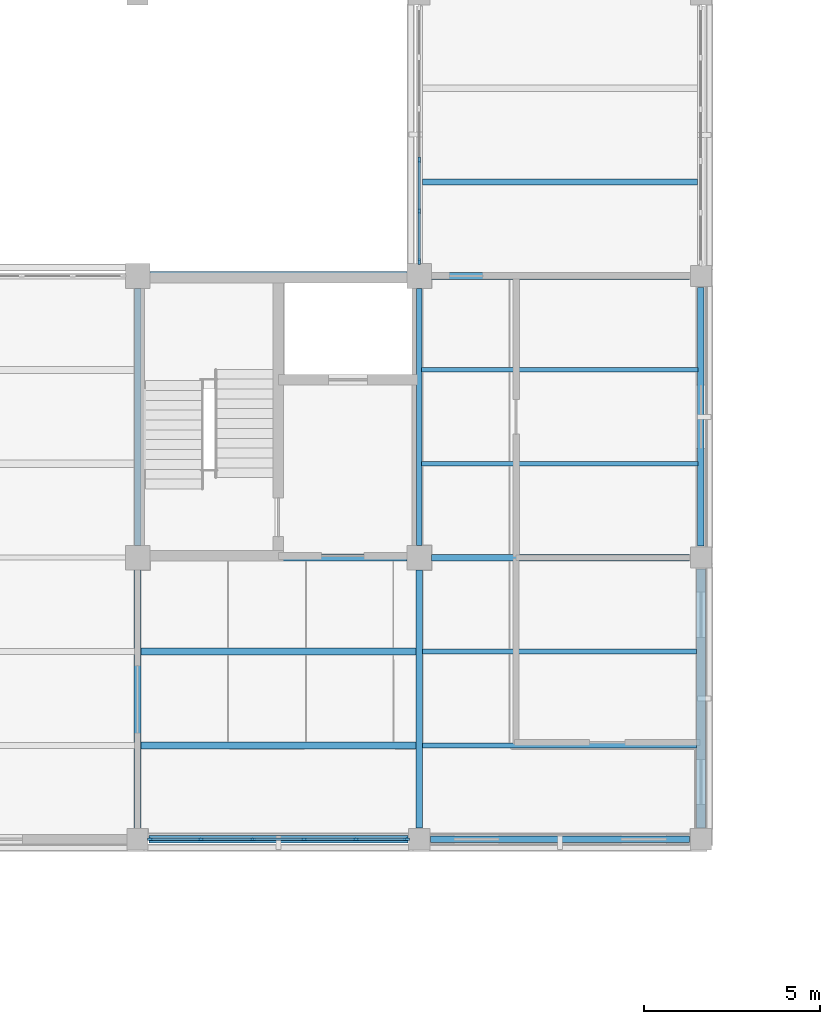
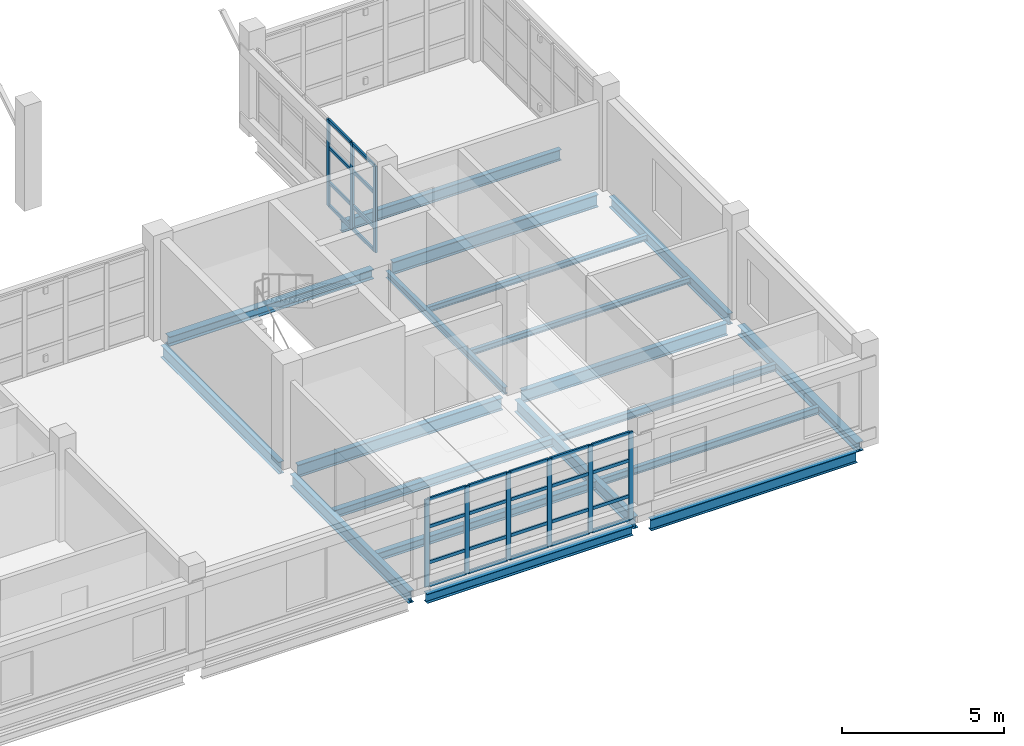
# One storey, part 6 of 35: 37 members, 19 beams, 2 elements without a shape of their own.
"""IFC4 building model written with IfcOpenShell, lengths in metres."""

from ifc_helpers import new_model, si_unit, derived_unit, direction, frame, origin, origin_2d, place, context, subcontext, project, spatial, rectangle, i_section, extrude, material, layer, layer_set, material_profile, profile_set, type_object, element, aggregate, save


model = new_model("IFC4")

# Units and contexts
model_context = context("Model", 3, precision=1e-05, world=origin(), true_north=direction((0.0, 1.0)))
body_context = subcontext(model_context, "Body", "Model", "MODEL_VIEW")
ifc_project = project(units=[si_unit("LENGTHUNIT", "METRE"), si_unit("AREAUNIT", "SQUARE_METRE"), si_unit("VOLUMEUNIT", "CUBIC_METRE"), si_unit("PLANEANGLEUNIT", "RADIAN"), si_unit("MASSUNIT", "GRAM", prefix="KILO"), derived_unit("THERMALTRANSMITTANCEUNIT", [(si_unit("MASSUNIT", "GRAM", prefix="KILO"), 1), (si_unit("TIMEUNIT", "SECOND"), -3), (si_unit("THERMODYNAMICTEMPERATUREUNIT", "KELVIN"), -1)])], contexts=[model_context])

# Site, building, storey
site_placement = place(None, origin())
site = spatial("IfcSite", under=ifc_project, at=site_placement, CompositionType="ELEMENT")
building_placement = place(site_placement, origin())
building = spatial("IfcBuilding", under=site, at=building_placement, Name="Veyamyaing Civic Hall", CompositionType="ELEMENT")
storey_placement = place(building_placement, frame((0.0, 0.0, 21.780029296875)))
storey = spatial("IfcBuildingStorey", under=building, at=storey_placement, Name="L05", CompositionType="ELEMENT", Elevation=21.780029296875)

# Beams
ifc_material_1 = material(Name="Steel ASTM A992", Category="steel")
ifc_material_profile_1 = material_profile(ifc_material_1, i_section(OverallWidth=0.19189453125, OverallDepth=0.462890625, WebThickness=0.010498046875, FlangeThickness=0.017578125, FilletRadius=0.010009765625, at=origin_2d()), Name="W460X89")
ifc_profile_set_1 = profile_set([ifc_material_profile_1], Name="Steel ASTM A992")
beam_type_1 = type_object("IfcBeamType", Name="B-08", PredefinedType="BEAM", material=ifc_profile_set_1)
beam_1_placement = place(storey_placement, frame((32.35009765625, 96.0, -0.45654296875), z_axis=(1.0, 0.0, 0.0), x_axis=(0.0, 1.0, 0.0)))
element("IfcBeam", 1, at=beam_1_placement, inside=storey, type_object=beam_type_1, Name="Girder B-08 L05 Grid N 5-6", PredefinedType="BEAM", context=body_context, shape_type="SweptSolid", body=[
    extrude(i_section(OverallWidth=0.19189453125, OverallDepth=0.462890625, WebThickness=0.010498046875, FlangeThickness=0.017578125, FilletRadius=0.010009765625, at=origin_2d()), origin(), (0.0, 0.0, 1.0), 7.2998046875),
])
beam_2_placement = place(storey_placement, frame((32.0, 88.324951171875, -0.45654296875), z_axis=(0.0, 1.0, 0.0), x_axis=(-1.0, 0.0, 0.0)))
element("IfcBeam", 2, at=beam_2_placement, inside=storey, type_object=beam_type_1, Name="Girder B-08 L05 Grid 5 M-N", PredefinedType="BEAM", context=body_context, shape_type="SweptSolid", body=[
    extrude(i_section(OverallWidth=0.19189453125, OverallDepth=0.462890625, WebThickness=0.010498046875, FlangeThickness=0.017578125, FilletRadius=0.010009765625, at=origin_2d()), origin(), (0.0, 0.0, 1.0), 7.324951171875),
])
ifc_material_profile_2 = material_profile(ifc_material_1, i_section(OverallWidth=0.18994140625, OverallDepth=0.45703125, WebThickness=0.009033203125, FlangeThickness=0.014404296875, FilletRadius=0.010009765625, at=origin_2d()), Name="W460X74")
ifc_profile_set_2 = profile_set([ifc_material_profile_2], Name="Steel ASTM A992")
beam_type_2 = type_object("IfcBeamType", Name="B-09", PredefinedType="BEAM", material=ifc_profile_set_2)
beam_3_placement = place(storey_placement, frame((40.35009765625, 96.0, -0.45361328125), z_axis=(1.0, 0.0, 0.0), x_axis=(0.0, 1.0, 0.0)))
element("IfcBeam", 3, at=beam_3_placement, inside=storey, type_object=beam_type_2, Name="Girder B-09 L05 Grid N 6-7", PredefinedType="BEAM", context=body_context, shape_type="SweptSolid", body=[
    extrude(i_section(OverallWidth=0.18994140625, OverallDepth=0.45703125, WebThickness=0.009033203125, FlangeThickness=0.014404296875, FilletRadius=0.010009765625, at=origin_2d()), origin(), (0.0, 0.0, 1.0), 7.324951171875),
])
beam_4_placement = place(storey_placement, frame((32.0, 96.35009765625, -0.45361328125), z_axis=(0.0, 1.0, 0.0), x_axis=(-1.0, 0.0, 0.0)))
element("IfcBeam", 4, at=beam_4_placement, inside=storey, type_object=beam_type_2, Name="Girder B-09 L05 Grid 5 N-P", PredefinedType="BEAM", context=body_context, shape_type="SweptSolid", body=[
    extrude(i_section(OverallWidth=0.18994140625, OverallDepth=0.45703125, WebThickness=0.009033203125, FlangeThickness=0.014404296875, FilletRadius=0.010009765625, at=origin_2d()), origin(), (0.0, 0.0, 1.0), 7.2998046875),
])
beam_5_placement = place(storey_placement, frame((40.0, 88.324951171875, -0.45361328125), z_axis=(0.0, 1.0, 0.0), x_axis=(-1.0, 0.0, 0.0)))
element("IfcBeam", 5, at=beam_5_placement, inside=storey, type_object=beam_type_2, Name="Girder B-09 L05 Grid 6 M-N", PredefinedType="BEAM", context=body_context, shape_type="SweptSolid", body=[
    extrude(i_section(OverallWidth=0.18994140625, OverallDepth=0.45703125, WebThickness=0.009033203125, FlangeThickness=0.014404296875, FilletRadius=0.010009765625, at=origin_2d()), origin(), (0.0, 0.0, 1.0), 7.324951171875),
])
ifc_material_profile_3 = material_profile(ifc_material_1, i_section(OverallWidth=0.179931640625, OverallDepth=0.4130859375, WebThickness=0.009765625, FlangeThickness=0.01611328125, FilletRadius=0.010009765625, at=origin_2d()), Name="W410X74")
ifc_profile_set_3 = profile_set([ifc_material_profile_3], Name="Steel ASTM A992")
beam_type_3 = type_object("IfcBeamType", Name="B-10", PredefinedType="SPANDREL", material=ifc_profile_set_3)
beam_6_placement = place(storey_placement, frame((48.0, 96.324951171875, -0.431640625), z_axis=(0.0, 1.0, 0.0), x_axis=(-1.0, 0.0, 0.0)))
element("IfcBeam", 6, at=beam_6_placement, inside=storey, type_object=beam_type_3, Name="Girder B-10 L05 Grid 7 N-P", PredefinedType="SPANDREL", context=body_context, shape_type="SweptSolid", body=[
    extrude(i_section(OverallWidth=0.179931640625, OverallDepth=0.4130859375, WebThickness=0.009765625, FlangeThickness=0.01611328125, FilletRadius=0.010009765625, at=origin_2d()), origin(), (0.0, 0.0, 1.0), 7.35009765625),
])
ifc_material_profile_4 = material_profile(ifc_material_1, i_section(OverallWidth=0.2041015625, OverallDepth=0.35009765625, WebThickness=0.0078125, FlangeThickness=0.01513671875, FilletRadius=0.010009765625, at=origin_2d()), Name="W360X72")
ifc_profile_set_4 = profile_set([ifc_material_profile_4], Name="Steel ASTM A992")
beam_type_4 = type_object("IfcBeamType", Name="B-11", PredefinedType="SPANDREL", material=ifc_profile_set_4)
beam_7_placement = place(storey_placement, frame((32.324951171875, 88.0, -0.400146484375), z_axis=(1.0, 0.0, 0.0), x_axis=(0.0, 1.0, 0.0)))
element("IfcBeam", 7, at=beam_7_placement, inside=storey, type_object=beam_type_4, Name="Girder B-11 L05 Grid M 5-6", PredefinedType="SPANDREL", context=body_context, shape_type="SweptSolid", body=[
    extrude(i_section(OverallWidth=0.2041015625, OverallDepth=0.35009765625, WebThickness=0.0078125, FlangeThickness=0.01513671875, FilletRadius=0.010009765625, at=origin_2d()), origin(), (0.0, 0.0, 1.0), 7.35009765625),
])
ifc_material_profile_5 = material_profile(ifc_material_1, i_section(OverallWidth=0.14599609375, OverallDepth=0.258056640625, WebThickness=0.006103515625, FlangeThickness=0.009033203125, FilletRadius=0.010009765625, at=origin_2d()), Name="W250X33")
ifc_profile_set_5 = profile_set([ifc_material_profile_5], Name="Steel ASTM A992")
beam_type_5 = type_object("IfcBeamType", Name="B-12", PredefinedType="BEAM", material=ifc_profile_set_5)
beam_8_placement = place(storey_placement, frame((40.0, 96.35009765625, -0.35400390625), z_axis=(0.0, 1.0, 0.0), x_axis=(-1.0, 0.0, 0.0)))
element("IfcBeam", 8, at=beam_8_placement, inside=storey, type_object=beam_type_5, Name="Girder B-12 L05 Grid 6 N-P", PredefinedType="BEAM", context=body_context, shape_type="SweptSolid", body=[
    extrude(i_section(OverallWidth=0.14599609375, OverallDepth=0.258056640625, WebThickness=0.006103515625, FlangeThickness=0.009033203125, FilletRadius=0.010009765625, at=origin_2d()), origin(), (0.0, 0.0, 1.0), 7.2998046875),
])
ifc_material_profile_6 = material_profile(ifc_material_1, i_section(OverallWidth=0.194091796875, OverallDepth=0.468994140625, WebThickness=0.0126953125, FlangeThickness=0.0205078125, FilletRadius=0.010009765625, at=origin_2d()), Name="W460X106")
ifc_profile_set_6 = profile_set([ifc_material_profile_6], Name="Steel ASTM A992")
beam_type_6 = type_object("IfcBeamType", Name="B-18", PredefinedType="BEAM", material=ifc_profile_set_6)
beam_9_placement = place(storey_placement, frame((40.35009765625, 104.0, -0.45947265625), z_axis=(1.0, 0.0, 0.0), x_axis=(0.0, 1.0, 0.0)))
element("IfcBeam", 9, at=beam_9_placement, inside=storey, type_object=beam_type_6, Name="Girder B-18 L05 Grid P 6-7", PredefinedType="BEAM", context=body_context, shape_type="SweptSolid", body=[
    extrude(i_section(OverallWidth=0.194091796875, OverallDepth=0.468994140625, WebThickness=0.0126953125, FlangeThickness=0.0205078125, FilletRadius=0.010009765625, at=origin_2d()), origin(), (0.0, 0.0, 1.0), 7.324951171875),
])
ifc_material_profile_7 = material_profile(ifc_material_1, i_section(OverallWidth=0.180908203125, OverallDepth=0.4169921875, WebThickness=0.010986328125, FlangeThickness=0.018310546875, FilletRadius=0.010009765625, at=origin_2d()), Name="W410X85")
ifc_profile_set_7 = profile_set([ifc_material_profile_7], Name="Steel ASTM A992")
beam_type_7 = type_object("IfcBeamType", Name="B-19", PredefinedType="SPANDREL", material=ifc_profile_set_7)
beam_10_placement = place(storey_placement, frame((40.324951171875, 88.0, -0.43359375), z_axis=(1.0, 0.0, 0.0), x_axis=(0.0, 1.0, 0.0)))
element("IfcBeam", 10, at=beam_10_placement, inside=storey, type_object=beam_type_7, Name="Girder B-19 L05 Grid M 6-7", PredefinedType="SPANDREL", context=body_context, shape_type="SweptSolid", body=[
    extrude(i_section(OverallWidth=0.180908203125, OverallDepth=0.4169921875, WebThickness=0.010986328125, FlangeThickness=0.018310546875, FilletRadius=0.010009765625, at=origin_2d()), origin(), (0.0, 0.0, 1.0), 7.35009765625),
])
ifc_material_profile_8 = material_profile(ifc_material_1, i_section(OverallWidth=0.25390625, OverallDepth=0.35302734375, WebThickness=0.009521484375, FlangeThickness=0.016357421875, FilletRadius=0.011962890625, at=origin_2d()), Name="W360X91")
ifc_profile_set_8 = profile_set([ifc_material_profile_8], Name="Steel ASTM A992")
beam_type_8 = type_object("IfcBeamType", Name="B-20", PredefinedType="SPANDREL", material=ifc_profile_set_8)
beam_11_placement = place(storey_placement, frame((32.35009765625, 104.0, -0.401611328125), z_axis=(1.0, 0.0, 0.0), x_axis=(0.0, 1.0, 0.0)))
element("IfcBeam", 11, at=beam_11_placement, inside=storey, type_object=beam_type_8, Name="Girder B-20 L05 Grid P 5-6", PredefinedType="SPANDREL", context=body_context, shape_type="SweptSolid", body=[
    extrude(i_section(OverallWidth=0.25390625, OverallDepth=0.35302734375, WebThickness=0.009521484375, FlangeThickness=0.016357421875, FilletRadius=0.011962890625, at=origin_2d()), origin(), (0.0, 0.0, 1.0), 7.2998046875),
])
beam_12_placement = place(storey_placement, frame((48.0, 88.324951171875, -0.401611328125), z_axis=(0.0, 1.0, 0.0), x_axis=(-1.0, 0.0, 0.0)))
element("IfcBeam", 12, at=beam_12_placement, inside=storey, type_object=beam_type_8, Name="Girder B-20 L05 Grid 7 M-N", PredefinedType="SPANDREL", context=body_context, shape_type="SweptSolid", body=[
    extrude(i_section(OverallWidth=0.25390625, OverallDepth=0.35302734375, WebThickness=0.009521484375, FlangeThickness=0.016357421875, FilletRadius=0.011962890625, at=origin_2d()), origin(), (0.0, 0.0, 1.0), 7.35009765625),
])

# Curtain wall, members
ifc_material_2 = material(Name="Anodised aluminium 6063-T6", Category="aluminium")
ifc_layer = layer(ifc_material_2, 0.159912109375, Name="Anodised aluminium 6063-T6")
ifc_layer_set = layer_set([ifc_layer], Name="Anodised aluminium 6063-T6")
curtain_wall_type = type_object("IfcCurtainWallType", Name="CW-09", PredefinedType="NOTDEFINED", material=ifc_layer_set)
curtain_wall_1_placement = place(storey_placement, origin())
curtain_wall_1 = element("IfcCurtainWall", 13, at=curtain_wall_1_placement, inside=storey, type_object=curtain_wall_type, Name="Unitized curtain wall CW-09 L05 S 5.12", PredefinedType="NOTDEFINED")
ifc_material_profile_9 = material_profile(ifc_material_2, rectangle(XDim=0.06494140625, YDim=0.159912109375, at=origin_2d()), Name="ALU-MUL-65X160")
ifc_profile_set_9 = profile_set([ifc_material_profile_9], Name="Anodised aluminium 6063-T6")
member_type_1 = type_object("IfcMemberType", Name="CWM-01", PredefinedType="MULLION", material=ifc_profile_set_9)
member_1_placement = place(storey_placement, frame((32.362548828125, 88.0, 0.0), z_axis=(0.0, 0.0, 1.0), x_axis=(0.0, 1.0, 0.0)))
member_1 = element("IfcMember", 14, at=member_1_placement, type_object=member_type_1, Name="CW-09 mullion 1", PredefinedType="MULLION", context=body_context, shape_type="SweptSolid", body=[
    extrude(rectangle(XDim=0.06494140625, YDim=0.159912109375, at=origin_2d()), origin(), (0.0, 0.0, 1.0), 3.304931640625),
])
member_2_placement = place(storey_placement, frame((33.798095703125, 88.0, 0.0), z_axis=(0.0, 0.0, 1.0), x_axis=(0.0, 1.0, 0.0)))
member_2 = element("IfcMember", 15, at=member_2_placement, type_object=member_type_1, Name="CW-09 mullion 2", PredefinedType="MULLION", context=body_context, shape_type="SweptSolid", body=[
    extrude(rectangle(XDim=0.06494140625, YDim=0.159912109375, at=origin_2d()), origin(), (0.0, 0.0, 1.0), 3.304931640625),
])
member_3_placement = place(storey_placement, frame((35.26611328125, 88.0, 0.0), z_axis=(0.0, 0.0, 1.0), x_axis=(0.0, 1.0, 0.0)))
member_3 = element("IfcMember", 16, at=member_3_placement, type_object=member_type_1, Name="CW-09 mullion 3", PredefinedType="MULLION", context=body_context, shape_type="SweptSolid", body=[
    extrude(rectangle(XDim=0.06494140625, YDim=0.159912109375, at=origin_2d()), origin(), (0.0, 0.0, 1.0), 3.304931640625),
])
member_4_placement = place(storey_placement, frame((36.73388671875, 88.0, 0.0), z_axis=(0.0, 0.0, 1.0), x_axis=(0.0, 1.0, 0.0)))
member_4 = element("IfcMember", 17, at=member_4_placement, type_object=member_type_1, Name="CW-09 mullion 4", PredefinedType="MULLION", context=body_context, shape_type="SweptSolid", body=[
    extrude(rectangle(XDim=0.06494140625, YDim=0.159912109375, at=origin_2d()), origin(), (0.0, 0.0, 1.0), 3.304931640625),
])
member_5_placement = place(storey_placement, frame((38.201904296875, 88.0, 0.0), z_axis=(0.0, 0.0, 1.0), x_axis=(0.0, 1.0, 0.0)))
member_5 = element("IfcMember", 18, at=member_5_placement, type_object=member_type_1, Name="CW-09 mullion 5", PredefinedType="MULLION", context=body_context, shape_type="SweptSolid", body=[
    extrude(rectangle(XDim=0.06494140625, YDim=0.159912109375, at=origin_2d()), origin(), (0.0, 0.0, 1.0), 3.304931640625),
])
member_6_placement = place(storey_placement, frame((39.637451171875, 88.0, 0.0), z_axis=(0.0, 0.0, 1.0), x_axis=(0.0, 1.0, 0.0)))
member_6 = element("IfcMember", 19, at=member_6_placement, type_object=member_type_1, Name="CW-09 mullion 6", PredefinedType="MULLION", context=body_context, shape_type="SweptSolid", body=[
    extrude(rectangle(XDim=0.06494140625, YDim=0.159912109375, at=origin_2d()), origin(), (0.0, 0.0, 1.0), 3.304931640625),
])

curtain_wall_2_placement = place(storey_placement, origin())
curtain_wall_2 = element("IfcCurtainWall", 20, at=curtain_wall_2_placement, inside=storey, type_object=curtain_wall_type, Name="Unitized curtain wall CW-09 L05 W 6.14", PredefinedType="NOTDEFINED")
member_7_placement = place(storey_placement, frame((40.0, 104.41259765625, 0.0), z_axis=(0.0, 0.0, 1.0), x_axis=(-1.0, 0.0, 0.0)))
member_7 = element("IfcMember", 21, at=member_7_placement, type_object=member_type_1, Name="CW-09 mullion 1", PredefinedType="MULLION", context=body_context, shape_type="SweptSolid", body=[
    extrude(rectangle(XDim=0.06494140625, YDim=0.159912109375, at=origin_2d()), origin(), (0.0, 0.0, 1.0), 3.259033203125),
])
member_8_placement = place(storey_placement, frame((40.0, 105.837890625, 0.0), z_axis=(0.0, 0.0, 1.0), x_axis=(-1.0, 0.0, 0.0)))
member_8 = element("IfcMember", 22, at=member_8_placement, type_object=member_type_1, Name="CW-09 mullion 2", PredefinedType="MULLION", context=body_context, shape_type="SweptSolid", body=[
    extrude(rectangle(XDim=0.06494140625, YDim=0.159912109375, at=origin_2d()), origin(), (0.0, 0.0, 1.0), 3.259033203125),
])
member_9_placement = place(storey_placement, frame((40.0, 107.2958984375, 0.0), z_axis=(0.0, 0.0, 1.0), x_axis=(-1.0, 0.0, 0.0)))
member_9 = element("IfcMember", 23, at=member_9_placement, type_object=member_type_1, Name="CW-09 mullion 3", PredefinedType="MULLION", context=body_context, shape_type="SweptSolid", body=[
    extrude(rectangle(XDim=0.06494140625, YDim=0.159912109375, at=origin_2d()), origin(), (0.0, 0.0, 1.0), 3.259033203125),
])

# Member
ifc_material_profile_10 = material_profile(ifc_material_2, rectangle(XDim=0.06494140625, YDim=0.1201171875, at=origin_2d()), Name="ALU-TRN-65X120")
ifc_profile_set_10 = profile_set([ifc_material_profile_10], Name="Anodised aluminium 6063-T6")
member_type_2 = type_object("IfcMemberType", Name="CWT-01", PredefinedType="USERDEFINED", material=ifc_profile_set_10)
member_10_placement = place(storey_placement, frame((32.39501953125, 88.0, 0.032470703125), z_axis=(1.0, 0.0, 0.0), x_axis=(0.0, 1.0, 0.0)))
member_10 = element("IfcMember", 24, at=member_10_placement, type_object=member_type_2, Name="CW-09 transom 1.1", ObjectType="TRANSOM", PredefinedType="USERDEFINED", context=body_context, shape_type="SweptSolid", body=[
    extrude(rectangle(XDim=0.06494140625, YDim=0.1201171875, at=origin_2d()), origin(), (0.0, 0.0, 1.0), 1.370361328125),
])

member_11_placement = place(storey_placement, frame((32.39501953125, 88.0, 0.89990234375), z_axis=(1.0, 0.0, 0.0), x_axis=(0.0, 1.0, 0.0)))
member_11 = element("IfcMember", 25, at=member_11_placement, type_object=member_type_2, Name="CW-09 transom 1.2", ObjectType="TRANSOM", PredefinedType="USERDEFINED", context=body_context, shape_type="SweptSolid", body=[
    extrude(rectangle(XDim=0.06494140625, YDim=0.1201171875, at=origin_2d()), origin(), (0.0, 0.0, 1.0), 1.370361328125),
])

member_12_placement = place(storey_placement, frame((32.39501953125, 88.0, 2.247314453125), z_axis=(1.0, 0.0, 0.0), x_axis=(0.0, 1.0, 0.0)))
member_12 = element("IfcMember", 26, at=member_12_placement, type_object=member_type_2, Name="CW-09 transom 1.3", ObjectType="TRANSOM", PredefinedType="USERDEFINED", context=body_context, shape_type="SweptSolid", body=[
    extrude(rectangle(XDim=0.06494140625, YDim=0.1201171875, at=origin_2d()), origin(), (0.0, 0.0, 1.0), 1.370361328125),
])

member_13_placement = place(storey_placement, frame((32.39501953125, 88.0, 3.2724609375), z_axis=(1.0, 0.0, 0.0), x_axis=(0.0, 1.0, 0.0)))
member_13 = element("IfcMember", 27, at=member_13_placement, type_object=member_type_2, Name="CW-09 transom 1.4", ObjectType="TRANSOM", PredefinedType="USERDEFINED", context=body_context, shape_type="SweptSolid", body=[
    extrude(rectangle(XDim=0.06494140625, YDim=0.1201171875, at=origin_2d()), origin(), (0.0, 0.0, 1.0), 1.370361328125),
])

member_14_placement = place(storey_placement, frame((33.83056640625, 88.0, 0.032470703125), z_axis=(1.0, 0.0, 0.0), x_axis=(0.0, 1.0, 0.0)))
member_14 = element("IfcMember", 28, at=member_14_placement, type_object=member_type_2, Name="CW-09 transom 2.1", ObjectType="TRANSOM", PredefinedType="USERDEFINED", context=body_context, shape_type="SweptSolid", body=[
    extrude(rectangle(XDim=0.06494140625, YDim=0.1201171875, at=origin_2d()), origin(), (0.0, 0.0, 1.0), 1.40283203125),
])

member_15_placement = place(storey_placement, frame((33.83056640625, 88.0, 0.89990234375), z_axis=(1.0, 0.0, 0.0), x_axis=(0.0, 1.0, 0.0)))
member_15 = element("IfcMember", 29, at=member_15_placement, type_object=member_type_2, Name="CW-09 transom 2.2", ObjectType="TRANSOM", PredefinedType="USERDEFINED", context=body_context, shape_type="SweptSolid", body=[
    extrude(rectangle(XDim=0.06494140625, YDim=0.1201171875, at=origin_2d()), origin(), (0.0, 0.0, 1.0), 1.40283203125),
])

member_16_placement = place(storey_placement, frame((33.83056640625, 88.0, 2.247314453125), z_axis=(1.0, 0.0, 0.0), x_axis=(0.0, 1.0, 0.0)))
member_16 = element("IfcMember", 30, at=member_16_placement, type_object=member_type_2, Name="CW-09 transom 2.3", ObjectType="TRANSOM", PredefinedType="USERDEFINED", context=body_context, shape_type="SweptSolid", body=[
    extrude(rectangle(XDim=0.06494140625, YDim=0.1201171875, at=origin_2d()), origin(), (0.0, 0.0, 1.0), 1.40283203125),
])

member_17_placement = place(storey_placement, frame((33.83056640625, 88.0, 3.2724609375), z_axis=(1.0, 0.0, 0.0), x_axis=(0.0, 1.0, 0.0)))
member_17 = element("IfcMember", 31, at=member_17_placement, type_object=member_type_2, Name="CW-09 transom 2.4", ObjectType="TRANSOM", PredefinedType="USERDEFINED", context=body_context, shape_type="SweptSolid", body=[
    extrude(rectangle(XDim=0.06494140625, YDim=0.1201171875, at=origin_2d()), origin(), (0.0, 0.0, 1.0), 1.40283203125),
])

member_18_placement = place(storey_placement, frame((35.298583984375, 88.0, 0.032470703125), z_axis=(1.0, 0.0, 0.0), x_axis=(0.0, 1.0, 0.0)))
member_18 = element("IfcMember", 32, at=member_18_placement, type_object=member_type_2, Name="CW-09 transom 3.1", ObjectType="TRANSOM", PredefinedType="USERDEFINED", context=body_context, shape_type="SweptSolid", body=[
    extrude(rectangle(XDim=0.06494140625, YDim=0.1201171875, at=origin_2d()), origin(), (0.0, 0.0, 1.0), 1.40283203125),
])

member_19_placement = place(storey_placement, frame((35.298583984375, 88.0, 0.89990234375), z_axis=(1.0, 0.0, 0.0), x_axis=(0.0, 1.0, 0.0)))
member_19 = element("IfcMember", 33, at=member_19_placement, type_object=member_type_2, Name="CW-09 transom 3.2", ObjectType="TRANSOM", PredefinedType="USERDEFINED", context=body_context, shape_type="SweptSolid", body=[
    extrude(rectangle(XDim=0.06494140625, YDim=0.1201171875, at=origin_2d()), origin(), (0.0, 0.0, 1.0), 1.40283203125),
])

member_20_placement = place(storey_placement, frame((35.298583984375, 88.0, 2.247314453125), z_axis=(1.0, 0.0, 0.0), x_axis=(0.0, 1.0, 0.0)))
member_20 = element("IfcMember", 34, at=member_20_placement, type_object=member_type_2, Name="CW-09 transom 3.3", ObjectType="TRANSOM", PredefinedType="USERDEFINED", context=body_context, shape_type="SweptSolid", body=[
    extrude(rectangle(XDim=0.06494140625, YDim=0.1201171875, at=origin_2d()), origin(), (0.0, 0.0, 1.0), 1.40283203125),
])

member_21_placement = place(storey_placement, frame((35.298583984375, 88.0, 3.2724609375), z_axis=(1.0, 0.0, 0.0), x_axis=(0.0, 1.0, 0.0)))
member_21 = element("IfcMember", 35, at=member_21_placement, type_object=member_type_2, Name="CW-09 transom 3.4", ObjectType="TRANSOM", PredefinedType="USERDEFINED", context=body_context, shape_type="SweptSolid", body=[
    extrude(rectangle(XDim=0.06494140625, YDim=0.1201171875, at=origin_2d()), origin(), (0.0, 0.0, 1.0), 1.40283203125),
])

member_22_placement = place(storey_placement, frame((36.7666015625, 88.0, 0.032470703125), z_axis=(1.0, 0.0, 0.0), x_axis=(0.0, 1.0, 0.0)))
member_22 = element("IfcMember", 36, at=member_22_placement, type_object=member_type_2, Name="CW-09 transom 4.1", ObjectType="TRANSOM", PredefinedType="USERDEFINED", context=body_context, shape_type="SweptSolid", body=[
    extrude(rectangle(XDim=0.06494140625, YDim=0.1201171875, at=origin_2d()), origin(), (0.0, 0.0, 1.0), 1.40283203125),
])

member_23_placement = place(storey_placement, frame((36.7666015625, 88.0, 0.89990234375), z_axis=(1.0, 0.0, 0.0), x_axis=(0.0, 1.0, 0.0)))
member_23 = element("IfcMember", 37, at=member_23_placement, type_object=member_type_2, Name="CW-09 transom 4.2", ObjectType="TRANSOM", PredefinedType="USERDEFINED", context=body_context, shape_type="SweptSolid", body=[
    extrude(rectangle(XDim=0.06494140625, YDim=0.1201171875, at=origin_2d()), origin(), (0.0, 0.0, 1.0), 1.40283203125),
])

member_24_placement = place(storey_placement, frame((36.7666015625, 88.0, 2.247314453125), z_axis=(1.0, 0.0, 0.0), x_axis=(0.0, 1.0, 0.0)))
member_24 = element("IfcMember", 38, at=member_24_placement, type_object=member_type_2, Name="CW-09 transom 4.3", ObjectType="TRANSOM", PredefinedType="USERDEFINED", context=body_context, shape_type="SweptSolid", body=[
    extrude(rectangle(XDim=0.06494140625, YDim=0.1201171875, at=origin_2d()), origin(), (0.0, 0.0, 1.0), 1.40283203125),
])

member_25_placement = place(storey_placement, frame((36.7666015625, 88.0, 3.2724609375), z_axis=(1.0, 0.0, 0.0), x_axis=(0.0, 1.0, 0.0)))
member_25 = element("IfcMember", 39, at=member_25_placement, type_object=member_type_2, Name="CW-09 transom 4.4", ObjectType="TRANSOM", PredefinedType="USERDEFINED", context=body_context, shape_type="SweptSolid", body=[
    extrude(rectangle(XDim=0.06494140625, YDim=0.1201171875, at=origin_2d()), origin(), (0.0, 0.0, 1.0), 1.40283203125),
])

member_26_placement = place(storey_placement, frame((38.234619140625, 88.0, 0.032470703125), z_axis=(1.0, 0.0, 0.0), x_axis=(0.0, 1.0, 0.0)))
member_26 = element("IfcMember", 40, at=member_26_placement, type_object=member_type_2, Name="CW-09 transom 5.1", ObjectType="TRANSOM", PredefinedType="USERDEFINED", context=body_context, shape_type="SweptSolid", body=[
    extrude(rectangle(XDim=0.06494140625, YDim=0.1201171875, at=origin_2d()), origin(), (0.0, 0.0, 1.0), 1.370361328125),
])

member_27_placement = place(storey_placement, frame((38.234619140625, 88.0, 0.89990234375), z_axis=(1.0, 0.0, 0.0), x_axis=(0.0, 1.0, 0.0)))
member_27 = element("IfcMember", 41, at=member_27_placement, type_object=member_type_2, Name="CW-09 transom 5.2", ObjectType="TRANSOM", PredefinedType="USERDEFINED", context=body_context, shape_type="SweptSolid", body=[
    extrude(rectangle(XDim=0.06494140625, YDim=0.1201171875, at=origin_2d()), origin(), (0.0, 0.0, 1.0), 1.370361328125),
])

member_28_placement = place(storey_placement, frame((38.234619140625, 88.0, 2.247314453125), z_axis=(1.0, 0.0, 0.0), x_axis=(0.0, 1.0, 0.0)))
member_28 = element("IfcMember", 42, at=member_28_placement, type_object=member_type_2, Name="CW-09 transom 5.3", ObjectType="TRANSOM", PredefinedType="USERDEFINED", context=body_context, shape_type="SweptSolid", body=[
    extrude(rectangle(XDim=0.06494140625, YDim=0.1201171875, at=origin_2d()), origin(), (0.0, 0.0, 1.0), 1.370361328125),
])

member_29_placement = place(storey_placement, frame((38.234619140625, 88.0, 3.2724609375), z_axis=(1.0, 0.0, 0.0), x_axis=(0.0, 1.0, 0.0)))
member_29 = element("IfcMember", 43, at=member_29_placement, type_object=member_type_2, Name="CW-09 transom 5.4", ObjectType="TRANSOM", PredefinedType="USERDEFINED", context=body_context, shape_type="SweptSolid", body=[
    extrude(rectangle(XDim=0.06494140625, YDim=0.1201171875, at=origin_2d()), origin(), (0.0, 0.0, 1.0), 1.370361328125),
])

aggregate(curtain_wall_1, [member_1, member_2, member_3, member_4, member_5, member_6, member_10, member_11, member_12, member_13, member_14, member_15, member_16, member_17, member_18, member_19, member_20, member_21, member_22, member_23, member_24, member_25, member_26, member_27, member_28, member_29])

member_30_placement = place(storey_placement, frame((40.0, 104.445068359375, 0.032470703125), z_axis=(0.0, 1.0, 0.0), x_axis=(-1.0, 0.0, 0.0)))
member_30 = element("IfcMember", 44, at=member_30_placement, type_object=member_type_2, Name="CW-09 transom 1.1", ObjectType="TRANSOM", PredefinedType="USERDEFINED", context=body_context, shape_type="SweptSolid", body=[
    extrude(rectangle(XDim=0.06494140625, YDim=0.1201171875, at=origin_2d()), origin(), (0.0, 0.0, 1.0), 1.3603515625),
])

member_31_placement = place(storey_placement, frame((40.0, 104.445068359375, 0.89990234375), z_axis=(0.0, 1.0, 0.0), x_axis=(-1.0, 0.0, 0.0)))
member_31 = element("IfcMember", 45, at=member_31_placement, type_object=member_type_2, Name="CW-09 transom 1.2", ObjectType="TRANSOM", PredefinedType="USERDEFINED", context=body_context, shape_type="SweptSolid", body=[
    extrude(rectangle(XDim=0.06494140625, YDim=0.1201171875, at=origin_2d()), origin(), (0.0, 0.0, 1.0), 1.3603515625),
])

member_32_placement = place(storey_placement, frame((40.0, 104.445068359375, 2.216064453125), z_axis=(0.0, 1.0, 0.0), x_axis=(-1.0, 0.0, 0.0)))
member_32 = element("IfcMember", 46, at=member_32_placement, type_object=member_type_2, Name="CW-09 transom 1.3", ObjectType="TRANSOM", PredefinedType="USERDEFINED", context=body_context, shape_type="SweptSolid", body=[
    extrude(rectangle(XDim=0.06494140625, YDim=0.1201171875, at=origin_2d()), origin(), (0.0, 0.0, 1.0), 1.3603515625),
])

member_33_placement = place(storey_placement, frame((40.0, 104.445068359375, 3.2265625), z_axis=(0.0, 1.0, 0.0), x_axis=(-1.0, 0.0, 0.0)))
member_33 = element("IfcMember", 47, at=member_33_placement, type_object=member_type_2, Name="CW-09 transom 1.4", ObjectType="TRANSOM", PredefinedType="USERDEFINED", context=body_context, shape_type="SweptSolid", body=[
    extrude(rectangle(XDim=0.06494140625, YDim=0.1201171875, at=origin_2d()), origin(), (0.0, 0.0, 1.0), 1.3603515625),
])

member_34_placement = place(storey_placement, frame((40.0, 105.87060546875, 0.032470703125), z_axis=(0.0, 1.0, 0.0), x_axis=(-1.0, 0.0, 0.0)))
member_34 = element("IfcMember", 48, at=member_34_placement, type_object=member_type_2, Name="CW-09 transom 2.1", ObjectType="TRANSOM", PredefinedType="USERDEFINED", context=body_context, shape_type="SweptSolid", body=[
    extrude(rectangle(XDim=0.06494140625, YDim=0.1201171875, at=origin_2d()), origin(), (0.0, 0.0, 1.0), 1.392822265625),
])

member_35_placement = place(storey_placement, frame((40.0, 105.87060546875, 0.89990234375), z_axis=(0.0, 1.0, 0.0), x_axis=(-1.0, 0.0, 0.0)))
member_35 = element("IfcMember", 49, at=member_35_placement, type_object=member_type_2, Name="CW-09 transom 2.2", ObjectType="TRANSOM", PredefinedType="USERDEFINED", context=body_context, shape_type="SweptSolid", body=[
    extrude(rectangle(XDim=0.06494140625, YDim=0.1201171875, at=origin_2d()), origin(), (0.0, 0.0, 1.0), 1.392822265625),
])

member_36_placement = place(storey_placement, frame((40.0, 105.87060546875, 2.216064453125), z_axis=(0.0, 1.0, 0.0), x_axis=(-1.0, 0.0, 0.0)))
member_36 = element("IfcMember", 50, at=member_36_placement, type_object=member_type_2, Name="CW-09 transom 2.3", ObjectType="TRANSOM", PredefinedType="USERDEFINED", context=body_context, shape_type="SweptSolid", body=[
    extrude(rectangle(XDim=0.06494140625, YDim=0.1201171875, at=origin_2d()), origin(), (0.0, 0.0, 1.0), 1.392822265625),
])

member_37_placement = place(storey_placement, frame((40.0, 105.87060546875, 3.2265625), z_axis=(0.0, 1.0, 0.0), x_axis=(-1.0, 0.0, 0.0)))
member_37 = element("IfcMember", 51, at=member_37_placement, type_object=member_type_2, Name="CW-09 transom 2.4", ObjectType="TRANSOM", PredefinedType="USERDEFINED", context=body_context, shape_type="SweptSolid", body=[
    extrude(rectangle(XDim=0.06494140625, YDim=0.1201171875, at=origin_2d()), origin(), (0.0, 0.0, 1.0), 1.392822265625),
])

aggregate(curtain_wall_2, [member_7, member_8, member_9, member_30, member_31, member_32, member_33, member_34, member_35, member_36, member_37])

# Beams
ifc_material_profile_11 = material_profile(ifc_material_1, i_section(OverallWidth=0.177978515625, OverallDepth=0.406982421875, WebThickness=0.0078125, FlangeThickness=0.0126953125, FilletRadius=0.010009765625, at=origin_2d()), Name="W410X60")
ifc_profile_set_11 = profile_set([ifc_material_profile_11], Name="Steel ASTM A992")
beam_type_9 = type_object("IfcBeamType", Name="J-01", PredefinedType="JOIST", material=ifc_profile_set_11)
beam_13_placement = place(storey_placement, frame((40.087890625, 106.666748046875, -0.428466796875), z_axis=(1.0, 0.0, 0.0), x_axis=(0.0, 1.0, 0.0)))
element("IfcBeam", 52, at=beam_13_placement, inside=storey, type_object=beam_type_9, Name="Composite floor joist J-01 L05 6.14.1", PredefinedType="JOIST", context=body_context, shape_type="SweptSolid", body=[
    extrude(i_section(OverallWidth=0.177978515625, OverallDepth=0.406982421875, WebThickness=0.0078125, FlangeThickness=0.0126953125, FilletRadius=0.010009765625, at=origin_2d()), origin(), (0.0, 0.0, 1.0), 7.81201171875),
])
ifc_material_profile_12 = material_profile(ifc_material_1, i_section(OverallWidth=0.2041015625, OverallDepth=0.305908203125, WebThickness=0.008544921875, FlangeThickness=0.0146484375, FilletRadius=0.010009765625, at=origin_2d()), Name="W310X67")
ifc_profile_set_12 = profile_set([ifc_material_profile_12], Name="Steel ASTM A992")
beam_type_10 = type_object("IfcBeamType", Name="J-06", PredefinedType="JOIST", material=ifc_profile_set_12)
for number, where, z_axis, x_axis, name in (
    (53, (32.093994140625, 90.666748046875, -0.3779296875), (1.0, 0.0, 0.0), (0.0, 1.0, 0.0), "Composite floor joist J-06 L05 5.12.1"),
    (54, (32.093994140625, 93.333251953125, -0.3779296875), (1.0, 0.0, 0.0), (0.0, 1.0, 0.0), "Composite floor joist J-06 L05 5.12.2"),
):
    element("IfcBeam", number, at=place(storey_placement, frame(where, z_axis=z_axis, x_axis=x_axis)), inside=storey, type_object=beam_type_10, Name=name, PredefinedType="JOIST", context=body_context, shape_type="SweptSolid", body=[
        extrude(i_section(OverallWidth=0.2041015625, OverallDepth=0.305908203125, WebThickness=0.008544921875, FlangeThickness=0.0146484375, FilletRadius=0.010009765625, at=origin_2d()), origin(), (0.0, 0.0, 1.0), 7.81298828125),
    ])
ifc_material_profile_13 = material_profile(ifc_material_1, i_section(OverallWidth=0.14794921875, OverallDepth=0.26611328125, WebThickness=0.007568359375, FlangeThickness=0.012939453125, FilletRadius=0.010009765625, at=origin_2d()), Name="W250X45")
ifc_profile_set_13 = profile_set([ifc_material_profile_13], Name="Steel ASTM A992")
beam_type_11 = type_object("IfcBeamType", Name="J-07", PredefinedType="JOIST", material=ifc_profile_set_13)
for number, where, z_axis, x_axis, name in (
    (55, (40.093017578125, 90.666748046875, -0.35791015625), (1.0, 0.0, 0.0), (0.0, 1.0, 0.0), "Composite floor joist J-07 L05 6.12.1"),
    (56, (40.093017578125, 93.333251953125, -0.35791015625), (1.0, 0.0, 0.0), (0.0, 1.0, 0.0), "Composite floor joist J-07 L05 6.12.2"),
):
    element("IfcBeam", number, at=place(storey_placement, frame(where, z_axis=z_axis, x_axis=x_axis)), inside=storey, type_object=beam_type_11, Name=name, PredefinedType="JOIST", context=body_context, shape_type="SweptSolid", body=[
        extrude(i_section(OverallWidth=0.14794921875, OverallDepth=0.26611328125, WebThickness=0.007568359375, FlangeThickness=0.012939453125, FilletRadius=0.010009765625, at=origin_2d()), origin(), (0.0, 0.0, 1.0), 7.781982421875),
    ])
ifc_material_profile_14 = material_profile(ifc_material_1, i_section(OverallWidth=0.133056640625, OverallDepth=0.20703125, WebThickness=0.005859375, FlangeThickness=0.00830078125, FilletRadius=0.010009765625, at=origin_2d()), Name="W200X27")
ifc_profile_set_14 = profile_set([ifc_material_profile_14], Name="Steel ASTM A992")
beam_type_12 = type_object("IfcBeamType", Name="J-08", PredefinedType="JOIST", material=ifc_profile_set_14)
for number, where, z_axis, x_axis, name in (
    (57, (40.071044921875, 98.666748046875, -0.32861328125), (1.0, 0.0, 0.0), (0.0, 1.0, 0.0), "Composite floor joist J-08 L05 6.13.1"),
    (58, (40.071044921875, 101.333251953125, -0.32861328125), (1.0, 0.0, 0.0), (0.0, 1.0, 0.0), "Composite floor joist J-08 L05 6.13.2"),
):
    element("IfcBeam", number, at=place(storey_placement, frame(where, z_axis=z_axis, x_axis=x_axis)), inside=storey, type_object=beam_type_12, Name=name, PredefinedType="JOIST", context=body_context, shape_type="SweptSolid", body=[
        extrude(i_section(OverallWidth=0.133056640625, OverallDepth=0.20703125, WebThickness=0.005859375, FlangeThickness=0.00830078125, FilletRadius=0.010009765625, at=origin_2d()), origin(), (0.0, 0.0, 1.0), 7.841064453125),
    ])

save(model, "model.ifc")
